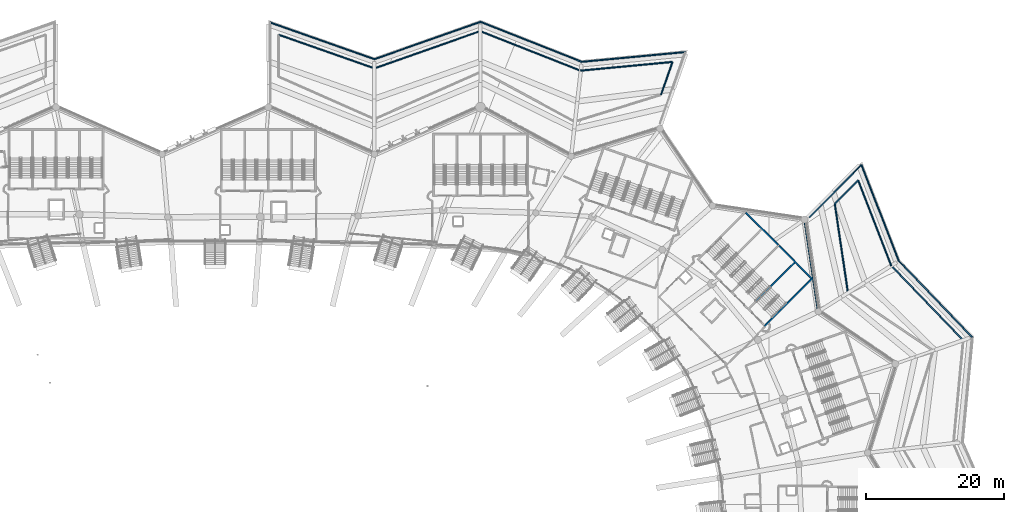
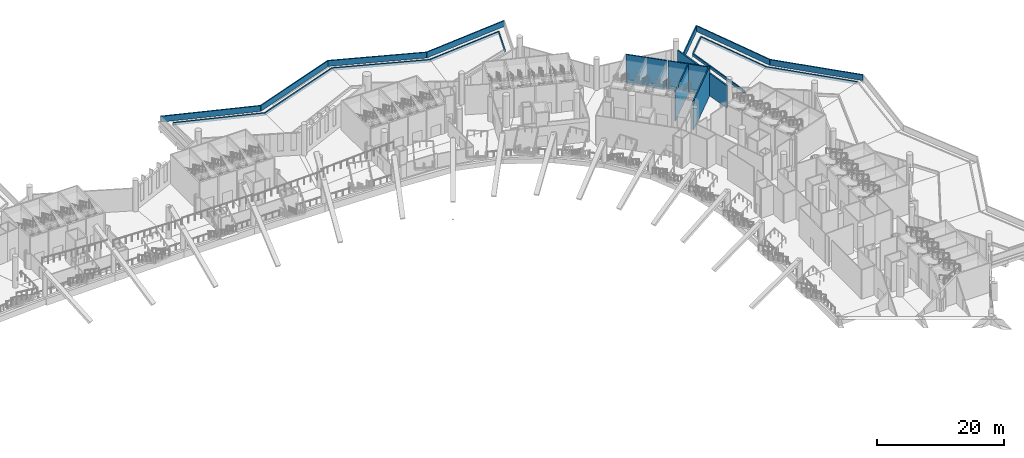
# One storey, part 78 of 173: 21 walls.
"""IFC4 building model written with IfcOpenShell, lengths in metres."""

from ifc_helpers import new_model, si_unit, direction, frame, frame_2d, origin, place, context, subcontext, project, spatial, rectangle, extrude, material, layer, layer_set, type_object, element, save


model = new_model("IFC4")

# Units and contexts
model_context = context("Model", 3, precision=1e-05, world=origin(), true_north=direction((0.0, 1.0)))
body_context = subcontext(model_context, "Body", "Model", "MODEL_VIEW")
ifc_project = project(units=[si_unit("LENGTHUNIT", "METRE"), si_unit("AREAUNIT", "SQUARE_METRE"), si_unit("VOLUMEUNIT", "CUBIC_METRE"), si_unit("PLANEANGLEUNIT", "RADIAN"), si_unit("MASSUNIT", "GRAM", prefix="KILO")], contexts=[model_context])

# Site, building, storey
site_placement = place(None, origin())
site = spatial("IfcSite", under=ifc_project, at=site_placement, CompositionType="ELEMENT")
building_placement = place(site_placement, origin())
building = spatial("IfcBuilding", under=site, at=building_placement, Name="Meseta Stadium", CompositionType="ELEMENT")
storey_placement = place(building_placement, frame((0.0, 0.0, 18.0)))
storey = spatial("IfcBuildingStorey", under=building, at=storey_placement, Name="L03", CompositionType="ELEMENT", Elevation=18.0)

# Walls
ifc_material_1 = material(Name="Concrete C40/50", Category="concrete")
ifc_layer_1 = layer(ifc_material_1, 0.199951171875)
ifc_layer_set_1 = layer_set([ifc_layer_1], Name="Core divider wall 200")
wall_type_1 = type_object("IfcWallType", Name="Core divider wall 200", PredefinedType="SHEAR", material=ifc_layer_set_1)
wall_1_placement = place(storey_placement, frame((83.90087890625, 83.092529296875, 0.0), z_axis=(0.0, 0.0, 1.0), x_axis=(-0.707106781187, -0.707106781187, 0.0)))
element("IfcWall", 1, at=wall_1_placement, inside=storey, type_object=wall_type_1, Name="Core 07 L03 stair A divider wall", PredefinedType="SHEAR", context=body_context, shape_type="SweptSolid", body=[
    extrude(rectangle(XDim=8.099853515625, YDim=0.199951171875, at=frame_2d((4.0498046875, 0.0))), origin(), (0.0, 0.0, 1.0), 5.60009765625),
])
ifc_material_2 = material(Name="Concrete C40/50", Category="concrete")
ifc_layer_2 = layer(ifc_material_2, 0.199951171875)
ifc_layer_set_2 = layer_set([ifc_layer_2], Name="Core shaft wall 200")
wall_type_2 = type_object("IfcWallType", Name="Core shaft wall 200", PredefinedType="SHEAR", material=ifc_layer_set_2)
wall_2_placement = place(storey_placement, frame((86.30517578125, 80.6884765625, 0.0), z_axis=(0.0, 0.0, 1.0), x_axis=(-0.707106781187, -0.707106781187, 0.0)))
element("IfcWall", 2, at=wall_2_placement, inside=storey, type_object=wall_type_2, Name="Core 07 L03 stair wall A-side", PredefinedType="SHEAR", context=body_context, shape_type="SweptSolid", body=[
    extrude(rectangle(XDim=9.800048828125, YDim=0.199951171875, at=frame_2d((4.89990234375, 0.0))), origin(), (0.0, 0.0, 1.0), 5.60009765625),
])
for number, where, z_axis, x_axis, name in (
    (3, (86.163818359375, 80.6884765625, 0.0), (0.0, 0.0, 1.0), (-0.707125276584, 0.707088285305, 0.0), "Core 07 L03 stair A outer end wall"),
    (4, (81.355224609375, 85.496826171875, 0.0), (0.0, 0.0, 1.0), (-0.707088285305, 0.707125276584, 0.0), "Core 07 L03 stair B outer end wall"),
):
    element("IfcWall", number, at=place(storey_placement, frame(where, z_axis=z_axis, x_axis=x_axis)), inside=storey, type_object=wall_type_2, Name=name, PredefinedType="SHEAR", context=body_context, shape_type="SweptSolid", body=[
        extrude(rectangle(XDim=6.599853515625, YDim=0.199951171875, at=frame_2d((3.2998046875, 0.0))), origin(), (0.0, 0.0, 1.0), 5.60009765625),
    ])
ifc_material_3 = material(Name="Precast concrete C40/50", Category="concrete")
ifc_layer_3 = layer(ifc_material_3, 0.199951171875)
ifc_layer_set_3 = layer_set([ifc_layer_3], Name="Planter kerb 200")
wall_type_3 = type_object("IfcWallType", Name="Planter kerb 200", PredefinedType="USERDEFINED", material=ifc_layer_set_3)
wall_3_placement = place(storey_placement, frame((91.45068359375, 78.55859375, 0.0), z_axis=(0.0, 0.0, 1.0), x_axis=(-0.146852837253, 0.989158351423, 0.0)))
element("IfcWall", 5, at=wall_3_placement, inside=storey, type_object=wall_type_3, Name="Planter kerb 1.1.10", ObjectType="PLANTER", PredefinedType="USERDEFINED", context=body_context, shape_type="SweptSolid", body=[
    extrude(rectangle(XDim=13.002197265625, YDim=0.199951171875, at=frame_2d((6.5009765625, 0.0))), origin(), (0.0, 0.0, 1.0), 0.5),
])
wall_4_placement = place(storey_placement, frame((89.541259765625, 91.419921875, 0.0), z_axis=(0.0, 0.0, 1.0), x_axis=(0.707106781187, 0.707106781187, 0.0)))
element("IfcWall", 6, at=wall_4_placement, inside=storey, type_object=wall_type_3, Name="Planter kerb 1.1.11", ObjectType="PLANTER", PredefinedType="USERDEFINED", context=body_context, shape_type="SweptSolid", body=[
    extrude(rectangle(XDim=4.79443359375, YDim=0.199951171875, at=frame_2d((2.397216796875, 0.0))), origin(), (0.0, 0.0, 1.0), 0.5),
])
wall_5_placement = place(storey_placement, frame((92.931396484375, 94.81005859375, 0.0), z_axis=(0.0, 0.0, 1.0), x_axis=(0.361774454686, -0.932265650948, 0.0)))
element("IfcWall", 7, at=wall_5_placement, inside=storey, type_object=wall_type_3, Name="Planter kerb 1.1.12", ObjectType="PLANTER", PredefinedType="USERDEFINED", context=body_context, shape_type="SweptSolid", body=[
    extrude(rectangle(XDim=13.224853515625, YDim=0.199951171875, at=frame_2d((6.6123046875, 0.0))), origin(), (0.0, 0.0, 1.0), 0.5),
])
wall_6_placement = place(storey_placement, frame((97.7158203125, 82.48095703125, 0.0), z_axis=(0.0, 0.0, 1.0), x_axis=(0.694474391977, -0.719517420837, 0.0)))
element("IfcWall", 8, at=wall_6_placement, inside=storey, type_object=wall_type_3, Name="Planter kerb 1.1.13", ObjectType="PLANTER", PredefinedType="USERDEFINED", context=body_context, shape_type="SweptSolid", body=[
    extrude(rectangle(XDim=14.945068359375, YDim=0.199951171875, at=frame_2d((7.47265625, 0.0))), origin(), (0.0, 0.0, 1.0), 0.5),
])
wall_7_placement = place(storey_placement, frame((52.79248046875, 110.67919921875, 0.0), z_axis=(0.0, 0.0, 1.0), x_axis=(0.995538597776, 0.094355181833, 0.0)))
element("IfcWall", 9, at=wall_7_placement, inside=storey, type_object=wall_type_3, Name="Planter kerb 2.1.1", ObjectType="PLANTER", PredefinedType="USERDEFINED", context=body_context, shape_type="SweptSolid", body=[
    extrude(rectangle(XDim=13.351318359375, YDim=0.199951171875, at=frame_2d((6.67578125, 0.0))), origin(), (0.0, 0.0, 1.0), 0.5),
])
wall_8_placement = place(storey_placement, frame((66.084228515625, 111.93896484375, 0.0), z_axis=(0.0, 0.0, 1.0), x_axis=(-0.330272436144, -0.943885648754, 0.0)))
element("IfcWall", 10, at=wall_8_placement, inside=storey, type_object=wall_type_3, Name="Planter kerb 2.1.2", ObjectType="PLANTER", PredefinedType="USERDEFINED", context=body_context, shape_type="SweptSolid", body=[
    extrude(rectangle(XDim=5.02001953125, YDim=0.199951171875, at=frame_2d((2.510009765625, 0.0))), origin(), (0.0, 0.0, 1.0), 0.5),
])
wall_9_placement = place(storey_placement, frame((9.166748046875, 115.88134765625, 0.0), z_axis=(0.0, 0.0, 1.0), x_axis=(0.943219987092, -0.332168716091, 0.0)))
element("IfcWall", 11, at=wall_9_placement, inside=storey, type_object=wall_type_3, Name="Planter kerb 2.1.8", ObjectType="PLANTER", PredefinedType="USERDEFINED", context=body_context, shape_type="SweptSolid", body=[
    extrude(rectangle(XDim=14.666015625, YDim=0.199951171875, at=frame_2d((7.3330078125, 0.0))), origin(), (0.0, 0.0, 1.0), 0.5),
])
wall_10_placement = place(storey_placement, frame((23.0, 111.009765625, 0.0), z_axis=(0.0, 0.0, 1.0), x_axis=(0.943218739591, 0.332172258451, 0.0)))
element("IfcWall", 12, at=wall_10_placement, inside=storey, type_object=wall_type_3, Name="Planter kerb 2.1.9", ObjectType="PLANTER", PredefinedType="USERDEFINED", context=body_context, shape_type="SweptSolid", body=[
    extrude(rectangle(XDim=16.224609375, YDim=0.199951171875, at=frame_2d((8.1123046875, 0.0))), origin(), (0.0, 0.0, 1.0), 0.5),
])
wall_11_placement = place(storey_placement, frame((38.303466796875, 116.399169921875, 0.0), z_axis=(0.0, 0.0, 1.0), x_axis=(0.930141557345, -0.367201148281, 0.0)))
element("IfcWall", 13, at=wall_11_placement, inside=storey, type_object=wall_type_3, Name="Planter kerb 2.1.10", ObjectType="PLANTER", PredefinedType="USERDEFINED", context=body_context, shape_type="SweptSolid", body=[
    extrude(rectangle(XDim=15.5771484375, YDim=0.199951171875, at=frame_2d((7.78857421875, 0.0))), origin(), (0.0, 0.0, 1.0), 0.5),
])
ifc_material_4 = material(Name="White precast concrete C40/50", Category="concrete")
ifc_layer_4 = layer(ifc_material_4, 0.25)
ifc_layer_set_4 = layer_set([ifc_layer_4], Name="Pleated panel wall 250")
wall_type_4 = type_object("IfcWallType", Name="Pleated panel wall 250", PredefinedType="SOLIDWALL", material=ifc_layer_set_4)
wall_12_placement = place(storey_placement, frame((85.2470703125, 88.6796875, 0.0), z_axis=(0.0, 0.0, 1.0), x_axis=(0.14684632149, -0.989159318747, 0.0)))
element("IfcWall", 14, at=wall_12_placement, inside=storey, type_object=wall_type_4, Name="Pleated facade panel L03 F11", PredefinedType="SOLIDWALL", context=body_context, shape_type="SweptSolid", body=[
    extrude(rectangle(XDim=12.51416015625, YDim=0.25, at=frame_2d((6.257080078125, 0.0))), origin(), (0.0, 0.0, 1.0), 4.300048828125),
])
ifc_material_5 = material(Name="Concrete C40/50", Category="concrete")
ifc_layer_5 = layer(ifc_material_5, 0.199951171875)
ifc_layer_set_5 = layer_set([ifc_layer_5], Name="Roof parapet 200")
wall_type_5 = type_object("IfcWallType", Name="Roof parapet 200", PredefinedType="PARAPET", material=ifc_layer_set_5)
wall_13_placement = place(storey_placement, frame((85.835693359375, 89.482177734375, 0.0), z_axis=(0.0, 0.0, 1.0), x_axis=(0.707106781187, 0.707106781187, 0.0)))
element("IfcWall", 15, at=wall_13_placement, inside=storey, type_object=wall_type_5, Name="Roof parapet 1.5.1", PredefinedType="PARAPET", context=body_context, shape_type="SweptSolid", body=[
    extrude(rectangle(XDim=10.701904296875, YDim=0.199951171875, at=frame_2d((5.35107421875, 0.0))), origin(), (0.0, 0.0, 1.0), 1.10009765625),
])
wall_14_placement = place(storey_placement, frame((93.403076171875, 97.049560546875, 0.0), z_axis=(0.0, 0.0, 1.0), x_axis=(0.36177363073, -0.932265970691, 0.0)))
element("IfcWall", 16, at=wall_14_placement, inside=storey, type_object=wall_type_5, Name="Roof parapet 1.6.1", PredefinedType="PARAPET", context=body_context, shape_type="SweptSolid", body=[
    extrude(rectangle(XDim=14.890380859375, YDim=0.199951171875, at=frame_2d((7.4453125, 0.0))), origin(), (0.0, 0.0, 1.0), 1.10009765625),
])
wall_15_placement = place(storey_placement, frame((98.7900390625, 83.167724609375, 0.0), z_axis=(0.0, 0.0, 1.0), x_axis=(0.694491774932, -0.719500642495, 0.0)))
element("IfcWall", 17, at=wall_15_placement, inside=storey, type_object=wall_type_5, Name="Roof parapet 1.7.1", PredefinedType="PARAPET", context=body_context, shape_type="SweptSolid", body=[
    extrude(rectangle(XDim=15.26806640625, YDim=0.199951171875, at=frame_2d((7.634033203125, 0.0))), origin(), (0.0, 0.0, 1.0), 1.10009765625),
])
wall_16_placement = place(storey_placement, frame((52.972900390625, 111.951904296875, 0.0), z_axis=(0.0, 0.0, 1.0), x_axis=(0.995538812454, 0.094352916742, 0.0)))
element("IfcWall", 18, at=wall_16_placement, inside=storey, type_object=wall_type_5, Name="Roof parapet 2.9.1", PredefinedType="PARAPET", context=body_context, shape_type="SweptSolid", body=[
    extrude(rectangle(XDim=15.00244140625, YDim=0.199951171875, at=frame_2d((7.501220703125, 0.0))), origin(), (0.0, 0.0, 1.0), 1.10009765625),
])
wall_17_placement = place(storey_placement, frame((7.916748046875, 117.64697265625, 0.0), z_axis=(0.0, 0.0, 1.0), x_axis=(0.943215600228, -0.332181172687, 0.0)))
element("IfcWall", 19, at=wall_17_placement, inside=storey, type_object=wall_type_5, Name="Roof parapet 2.12.1", PredefinedType="PARAPET", context=body_context, shape_type="SweptSolid", body=[
    extrude(rectangle(XDim=15.9912109375, YDim=0.199951171875, at=frame_2d((7.99560546875, 0.0))), origin(), (0.0, 0.0, 1.0), 1.10009765625),
])
wall_18_placement = place(storey_placement, frame((23.0, 112.3349609375, 0.0), z_axis=(0.0, 0.0, 1.0), x_axis=(0.943218368796, 0.332173311339, 0.0)))
element("IfcWall", 20, at=wall_18_placement, inside=storey, type_object=wall_type_5, Name="Roof parapet 2.13.1", PredefinedType="PARAPET", context=body_context, shape_type="SweptSolid", body=[
    extrude(rectangle(XDim=16.251220703125, YDim=0.199951171875, at=frame_2d((8.12548828125, 0.0))), origin(), (0.0, 0.0, 1.0), 1.10009765625),
])
wall_19_placement = place(storey_placement, frame((38.328369140625, 117.733154296875, 0.0), z_axis=(0.0, 0.0, 1.0), x_axis=(0.930144071805, -0.367194778947, 0.0)))
element("IfcWall", 21, at=wall_19_placement, inside=storey, type_object=wall_type_5, Name="Roof parapet 2.14.1", PredefinedType="PARAPET", context=body_context, shape_type="SweptSolid", body=[
    extrude(rectangle(XDim=15.744384765625, YDim=0.199951171875, at=frame_2d((7.8720703125, 0.0))), origin(), (0.0, 0.0, 1.0), 1.10009765625),
])

save(model, "model.ifc")
